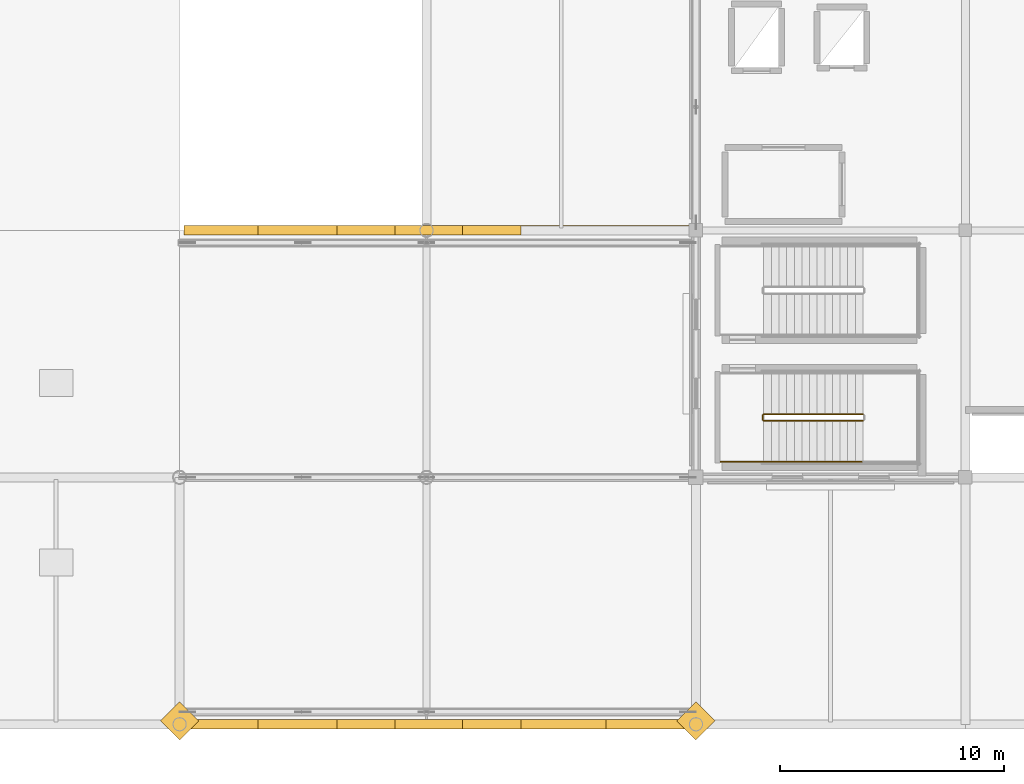
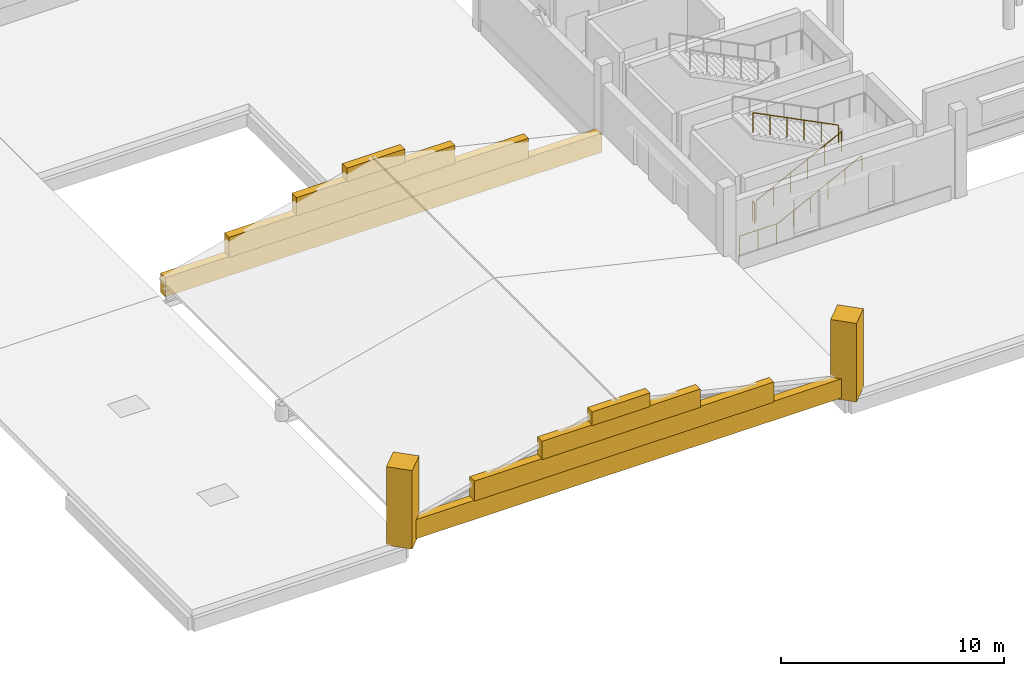
# One storey, part 64 of 77: 10 coverings, 5 railings.
"""IFC4 building model written with IfcOpenShell, lengths in metres."""

from ifc_helpers import new_model, si_unit, direction, frame, origin, origin_2d, place, context, subcontext, project, spatial, rectangle, circle, extrude, material, layer, layer_set, type_object, element, save


model = new_model("IFC4")

# Units and contexts
model_context = context("Model", 3, precision=1e-05, world=origin(), true_north=direction((0.0, 1.0)))
body_context = subcontext(model_context, "Body", "Model", "MODEL_VIEW")
ifc_project = project(units=[si_unit("LENGTHUNIT", "METRE"), si_unit("AREAUNIT", "SQUARE_METRE"), si_unit("VOLUMEUNIT", "CUBIC_METRE"), si_unit("PLANEANGLEUNIT", "RADIAN"), si_unit("MASSUNIT", "GRAM", prefix="KILO")], contexts=[model_context])

# Site, building, storey
site_placement = place(None, origin())
site = spatial("IfcSite", under=ifc_project, at=site_placement, CompositionType="ELEMENT")
building_placement = place(site_placement, origin())
building = spatial("IfcBuilding", under=site, at=building_placement, Name="Luwafu Chhajja Arena", CompositionType="ELEMENT")
storey_placement = place(building_placement, frame((0.0, 0.0, 14.699951171875)))
storey = spatial("IfcBuildingStorey", under=building, at=storey_placement, Name="L03", CompositionType="ELEMENT", Elevation=14.699951171875)

# Coverings
ifc_material_1 = material(Name="Red laterite sandstone cladding", Category="masonry")
ifc_layer = layer(ifc_material_1, 0.074951171875, Name="Red laterite sandstone cladding")
ifc_layer_set = layer_set([ifc_layer], Name="Red laterite sandstone cladding")
covering_type = type_object("IfcCoveringType", Name="Dressed Red-Laterite Sandstone Cladding", PredefinedType="CLADDING", material=ifc_layer_set)
covering_1_placement = place(storey_placement, frame((22.5, 0.0, 0.0), z_axis=(0.0, 0.0, 1.0), x_axis=(1.0, 0.0, 0.0)))
element("IfcCovering", 1, at=covering_1_placement, inside=storey, type_object=covering_type, Name="L03 Pishtaq S Stepped Ashlar Gable Tympanum 1", PredefinedType="CLADDING", context=body_context, shape_type="SweptSolid", body=[
    extrude(rectangle(XDim=22.60009765625, YDim=0.419921875, at=origin_2d()), origin(), (0.0, 0.0, 1.0), 1.050048828125),
])
covering_2_placement = place(storey_placement, frame((22.25, 0.0, 1.0), z_axis=(0.0, 0.0, 1.0), x_axis=(1.0, 0.0, 0.0)))
element("IfcCovering", 2, at=covering_2_placement, inside=storey, type_object=covering_type, Name="L03 Pishtaq S Stepped Ashlar Gable Tympanum 2", PredefinedType="CLADDING", context=body_context, shape_type="SweptSolid", body=[
    extrude(rectangle(XDim=15.5, YDim=0.419921875, at=origin_2d()), origin(), (0.0, 0.0, 1.0), 1.10009765625),
])
covering_3_placement = place(storey_placement, frame((22.10009765625, 0.0, 2.050048828125), z_axis=(0.0, 0.0, 1.0), x_axis=(1.0, 0.0, 0.0)))
element("IfcCovering", 3, at=covering_3_placement, inside=storey, type_object=covering_type, Name="L03 Pishtaq S Stepped Ashlar Gable Tympanum 3", PredefinedType="CLADDING", context=body_context, shape_type="SweptSolid", body=[
    extrude(rectangle(XDim=8.199951171875, YDim=0.419921875, at=origin_2d()), origin(), (0.0, 0.0, 1.0), 1.0),
])
covering_4_placement = place(storey_placement, frame((22.10009765625, 0.0, 3.0), z_axis=(0.0, 0.0, 1.0), x_axis=(1.0, 0.0, 0.0)))
element("IfcCovering", 4, at=covering_4_placement, inside=storey, type_object=covering_type, Name="L03 Pishtaq S Stepped Ashlar Gable Tympanum 4", PredefinedType="CLADDING", context=body_context, shape_type="SweptSolid", body=[
    extrude(rectangle(XDim=3.0, YDim=0.419921875, at=origin_2d()), origin(), (0.0, 0.0, 1.0), 0.75),
])
covering_5_placement = place(storey_placement, frame((22.5, 22.0, 0.0), z_axis=(0.0, 0.0, 1.0), x_axis=(1.0, 0.0, 0.0)))
element("IfcCovering", 5, at=covering_5_placement, inside=storey, type_object=covering_type, Name="L03 Pishtaq N Stepped Ashlar Gable Tympanum 1", PredefinedType="CLADDING", context=body_context, shape_type="SweptSolid", body=[
    extrude(rectangle(XDim=22.60009765625, YDim=0.419921875, at=origin_2d()), origin(), (0.0, 0.0, 1.0), 1.050048828125),
])
covering_6_placement = place(storey_placement, frame((22.25, 22.0, 1.0), z_axis=(0.0, 0.0, 1.0), x_axis=(1.0, 0.0, 0.0)))
element("IfcCovering", 6, at=covering_6_placement, inside=storey, type_object=covering_type, Name="L03 Pishtaq N Stepped Ashlar Gable Tympanum 2", PredefinedType="CLADDING", context=body_context, shape_type="SweptSolid", body=[
    extrude(rectangle(XDim=15.5, YDim=0.419921875, at=origin_2d()), origin(), (0.0, 0.0, 1.0), 1.10009765625),
])
covering_7_placement = place(storey_placement, frame((22.10009765625, 22.0, 2.050048828125), z_axis=(0.0, 0.0, 1.0), x_axis=(1.0, 0.0, 0.0)))
element("IfcCovering", 7, at=covering_7_placement, inside=storey, type_object=covering_type, Name="L03 Pishtaq N Stepped Ashlar Gable Tympanum 3", PredefinedType="CLADDING", context=body_context, shape_type="SweptSolid", body=[
    extrude(rectangle(XDim=8.199951171875, YDim=0.419921875, at=origin_2d()), origin(), (0.0, 0.0, 1.0), 1.0),
])
covering_8_placement = place(storey_placement, frame((22.10009765625, 22.0, 3.0), z_axis=(0.0, 0.0, 1.0), x_axis=(1.0, 0.0, 0.0)))
element("IfcCovering", 8, at=covering_8_placement, inside=storey, type_object=covering_type, Name="L03 Pishtaq N Stepped Ashlar Gable Tympanum 4", PredefinedType="CLADDING", context=body_context, shape_type="SweptSolid", body=[
    extrude(rectangle(XDim=3.0, YDim=0.419921875, at=origin_2d()), origin(), (0.0, 0.0, 1.0), 0.75),
])
for number, where, z_axis, x_axis, name in (
    (9, (11.0, 0.14990234375, -0.10009765625), (0.0, 0.0, 1.0), (0.707106781187, 0.707106781187, 0.0), "Pishtaq W Guldasta Stepped Turret Finial"),
    (10, (34.0, 0.14990234375, -0.10009765625), (0.0, 0.0, 1.0), (0.707106781187, 0.707106781187, 0.0), "Pishtaq E Guldasta Stepped Turret Finial"),
):
    element("IfcCovering", number, at=place(storey_placement, frame(where, z_axis=z_axis, x_axis=x_axis)), inside=storey, type_object=covering_type, Name=name, PredefinedType="CLADDING", context=body_context, shape_type="SweptSolid", body=[
        extrude(rectangle(XDim=1.199951171875, YDim=1.199951171875, at=origin_2d()), origin(), (0.0, 0.0, 1.0), 4.300048828125),
    ])

# Railings
ifc_material_2 = material(Name="Stainless steel handrail", Category="steel")
railing_type_1 = type_object("IfcRailingType", Name="Stair Pitch Wall Handrail 920", PredefinedType="HANDRAIL", material=ifc_material_2)
railing_1_placement = place(storey_placement, frame((37.02001953125, 11.699951171875, 0.17138671875)))
element("IfcRailing", 11, at=railing_1_placement, inside=storey, type_object=railing_type_1, Name="L03 ST-01 stair handrail 1", PredefinedType="HANDRAIL", context=body_context, shape_type="SweptSolid", body=[
    extrude(circle(Radius=0.02392578125, at=origin_2d()), frame((0.0, 0.0, 0.8759765625), z_axis=(0.892902951771, 0.0, 0.450249174034), x_axis=(0.0, 1.0, 0.0)), (0.0, 0.0, 1.0), 4.949951171875),
    extrude(circle(Radius=0.02099609375, at=origin_2d()), origin(), (0.0, 0.0, 1.0), 0.851806640625),
    extrude(circle(Radius=0.02099609375, at=origin_2d()), frame((0.884033203125, 0.0, 0.44580078125)), (0.0, 0.0, 1.0), 0.851806640625),
    extrude(circle(Radius=0.02099609375, at=origin_2d()), frame((1.76806640625, 0.0, 0.8916015625)), (0.0, 0.0, 1.0), 0.851806640625),
    extrude(circle(Radius=0.02099609375, at=origin_2d()), frame((2.65185546875, 0.0, 1.337158203125)), (0.0, 0.0, 1.0), 0.851806640625),
    extrude(circle(Radius=0.02099609375, at=origin_2d()), frame((3.535888671875, 0.0, 1.782958984375)), (0.0, 0.0, 1.0), 0.851806640625),
    extrude(circle(Radius=0.02099609375, at=origin_2d()), frame((4.419921875, 0.0, 2.228759765625)), (0.0, 0.0, 1.0), 0.851806640625),
])
ifc_material_3 = material(Name="Stainless steel balustrade", Category="steel")
railing_type_2 = type_object("IfcRailingType", Name="Stair and Terrace Guard Balustrade 1100", PredefinedType="BALUSTRADE", material=ifc_material_3)
railing_2_placement = place(storey_placement, frame((37.02001953125, 13.52001953125, 0.17138671875)))
element("IfcRailing", 12, at=railing_2_placement, inside=storey, type_object=railing_type_2, Name="L03 ST-01 stair guard 1", PredefinedType="BALUSTRADE", context=body_context, shape_type="SweptSolid", body=[
    extrude(circle(Radius=0.02392578125, at=origin_2d()), frame((0.0, 0.0, 1.076171875), z_axis=(0.892902951771, 0.0, 0.450249174034), x_axis=(0.0, 1.0, 0.0)), (0.0, 0.0, 1.0), 4.949951171875),
    extrude(circle(Radius=0.02099609375, at=origin_2d()), origin(), (0.0, 0.0, 1.0), 1.052001953125),
    extrude(circle(Radius=0.02099609375, at=origin_2d()), frame((0.884033203125, 0.0, 0.44580078125)), (0.0, 0.0, 1.0), 1.052001953125),
    extrude(circle(Radius=0.02099609375, at=origin_2d()), frame((1.76806640625, 0.0, 0.8916015625)), (0.0, 0.0, 1.0), 1.052001953125),
    extrude(circle(Radius=0.02099609375, at=origin_2d()), frame((2.65185546875, 0.0, 1.337158203125)), (0.0, 0.0, 1.0), 1.052001953125),
    extrude(circle(Radius=0.02099609375, at=origin_2d()), frame((3.535888671875, 0.0, 1.782958984375)), (0.0, 0.0, 1.0), 1.052001953125),
    extrude(circle(Radius=0.02099609375, at=origin_2d()), frame((4.419921875, 0.0, 2.228759765625)), (0.0, 0.0, 1.0), 1.052001953125),
])
railing_3_placement = place(storey_placement, frame((41.43994140625, 13.820068359375, 2.571533203125)))
element("IfcRailing", 13, at=railing_3_placement, inside=storey, type_object=railing_type_2, Name="L03 ST-01 stair guard 6", PredefinedType="BALUSTRADE", context=body_context, shape_type="SweptSolid", body=[
    extrude(circle(Radius=0.02392578125, at=origin_2d()), frame((0.0, 0.0, 1.076171875), z_axis=(-0.89292277971, 0.0, 0.450209850486), x_axis=(0.0, -1.0, 0.0)), (0.0, 0.0, 1.0), 4.949951171875),
    extrude(circle(Radius=0.02099609375, at=origin_2d()), origin(), (0.0, 0.0, 1.0), 1.052001953125),
    extrude(circle(Radius=0.02099609375, at=origin_2d()), frame((-0.884033203125, 0.0, 0.44580078125)), (0.0, 0.0, 1.0), 1.052001953125),
    extrude(circle(Radius=0.02099609375, at=origin_2d()), frame((-1.76806640625, 0.0, 0.891357421875)), (0.0, 0.0, 1.0), 1.052001953125),
    extrude(circle(Radius=0.02099609375, at=origin_2d()), frame((-2.65185546875, 0.0, 1.337158203125)), (0.0, 0.0, 1.0), 1.052001953125),
    extrude(circle(Radius=0.02099609375, at=origin_2d()), frame((-3.535888671875, 0.0, 1.78271484375)), (0.0, 0.0, 1.0), 1.052001953125),
    extrude(circle(Radius=0.02099609375, at=origin_2d()), frame((-4.419921875, 0.0, 2.228515625)), (0.0, 0.0, 1.0), 1.052001953125),
])
railing_4_placement = place(storey_placement, frame((36.969970703125, 13.570068359375, 0.0)))
element("IfcRailing", 14, at=railing_4_placement, inside=storey, type_object=railing_type_2, Name="L03 ST-01 stair guard 7", PredefinedType="BALUSTRADE", context=body_context, shape_type="SweptSolid", body=[
    extrude(circle(Radius=0.02392578125, at=origin_2d()), frame((0.0, 0.0, 1.076171875), z_axis=(0.0, 1.0, 0.0), x_axis=(-1.0, 0.0, 0.0)), (0.0, 0.0, 1.0), 0.199951171875),
    extrude(circle(Radius=0.02099609375, at=origin_2d()), origin(), (0.0, 0.0, 1.0), 1.052001953125),
    extrude(circle(Radius=0.02099609375, at=origin_2d()), frame((0.0, 0.199951171875, 0.0)), (0.0, 0.0, 1.0), 1.052001953125),
])
railing_5_placement = place(storey_placement, frame((35.10009765625, 11.699951171875, 0.0)))
element("IfcRailing", 15, at=railing_5_placement, inside=storey, type_object=railing_type_2, Name="L03 ST-01 stair guard 8", PredefinedType="BALUSTRADE", context=body_context, shape_type="SweptSolid", body=[
    extrude(circle(Radius=0.02392578125, at=origin_2d()), frame((0.0, 0.0, 1.076171875), z_axis=(1.0, 0.0, 0.0), x_axis=(0.0, 1.0, 0.0)), (0.0, 0.0, 1.0), 1.919921875),
    extrude(circle(Radius=0.02099609375, at=origin_2d()), origin(), (0.0, 0.0, 1.0), 1.052001953125),
    extrude(circle(Radius=0.02099609375, at=origin_2d()), frame((0.9599609375, 0.0, 0.0)), (0.0, 0.0, 1.0), 1.052001953125),
    extrude(circle(Radius=0.02099609375, at=origin_2d()), frame((1.919921875, 0.0, 0.0)), (0.0, 0.0, 1.0), 1.052001953125),
])

save(model, "model.ifc")
